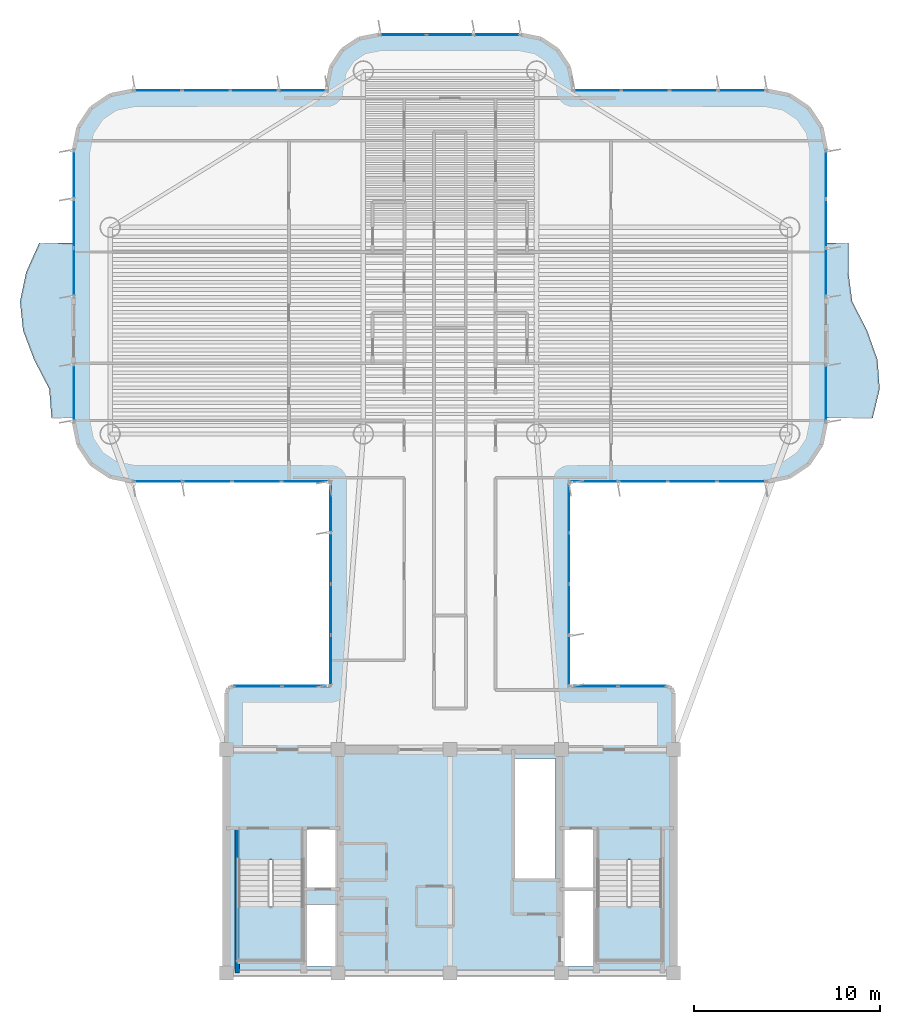
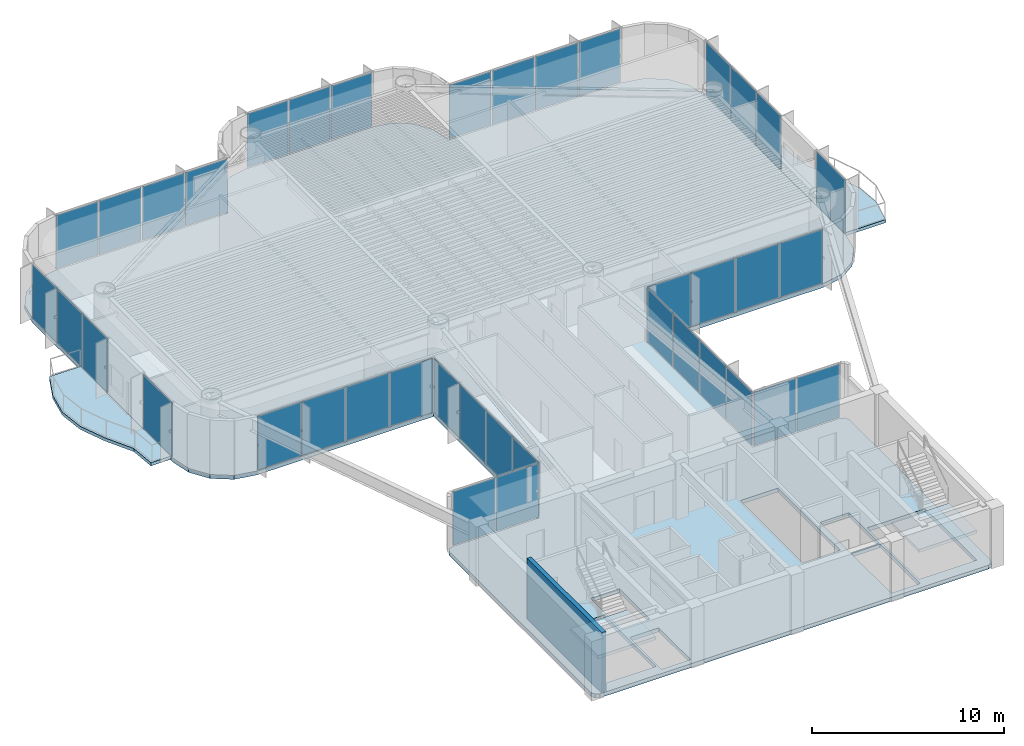
# One storey, part 8 of 15: 39 plates, 5 slabs, 1 wall, 15 elements without a shape of their own.
"""IFC4 building model written with IfcOpenShell, lengths in metres."""

import ifcopenshell
import ifcopenshell.guid

model = None  # the IFC model being written
_history = None  # IfcOwnerHistory: only IFC2X3 demands one
_inside = {}  # id of a spatial element -> (the spatial element, [elements in it])
_under = {}  # id of a project, library or spatial element -> (it, [spatial elements below it])
_declared = {}  # id of a project -> (the project, [libraries it declares])
_typed = {}  # id of a type object -> (the type object, [elements of that type])
_made_of = {}  # id of a material, layer set ... -> (it, [elements and type objects made of it])


def new_model(schema):
    """Start an empty IFC model of exactly this schema.

    Asked for "IFC4X3", IfcOpenShell would pick the latest addendum, in which some entities
    have other attributes; the version numbers below select the first issue.
    IFC2X3 requires an IfcOwnerHistory on every rooted entity: one is made here for all.
    """
    global model, _history
    if schema == "IFC4X3":
        model = ifcopenshell.file(schema_version=(4, 3, 0, 0))
    else:
        model = ifcopenshell.file(schema=schema)
    _inside.clear()
    _under.clear()
    _declared.clear()
    _typed.clear()
    _made_of.clear()
    _history = None
    if model.schema == "IFC2X3":
        org = make("IfcOrganization", Name="unknown")
        user = make(
            "IfcPersonAndOrganization",
            ThePerson=make("IfcPerson", FamilyName="unknown"),
            TheOrganization=org,
        )
        app = make(
            "IfcApplication",
            ApplicationDeveloper=org,
            Version="unknown",
            ApplicationFullName="unknown",
            ApplicationIdentifier="unknown",
        )
        _history = make(
            "IfcOwnerHistory",
            OwningUser=user,
            OwningApplication=app,
            ChangeAction="ADDED",
            CreationDate=0,
        )
    return model


def make(cls, **values):
    """One entity of the class cls with the attributes given. An attribute that is None is left unset."""
    return model.create_entity(
        cls, **{name: value for name, value in values.items() if value is not None}
    )


def rooted(cls, **values):
    """An entity with a GlobalId (a new one), such as an element, a storey or a relation."""
    return make(cls, GlobalId=ifcopenshell.guid.new(), OwnerHistory=_history, **values)


def si_unit(unit_type, name, prefix=None):
    """IfcSIUnit, for example si_unit("LENGTHUNIT", "METRE", prefix="MILLI")."""
    return make("IfcSIUnit", UnitType=unit_type, Prefix=prefix, Name=name)


def assignment(units):
    """IfcUnitAssignment: the units of a project."""
    return None if units is None else make("IfcUnitAssignment", Units=units)


def point(xyz):
    """IfcCartesianPoint."""
    return None if xyz is None else make("IfcCartesianPoint", Coordinates=xyz)


def direction(xyz):
    """IfcDirection."""
    return None if xyz is None else make("IfcDirection", DirectionRatios=xyz)


def frame(location, z_axis=None, x_axis=None):
    """IfcAxis2Placement3D, a coordinate frame: its origin and axes. An axis left out is left unset."""
    return make(
        "IfcAxis2Placement3D",
        Location=point(location),
        Axis=direction(z_axis),
        RefDirection=direction(x_axis),
    )


def frame_2d(location, x_axis=None):
    """IfcAxis2Placement2D, a coordinate frame in the plane: its origin and x axis."""
    return make(
        "IfcAxis2Placement2D", Location=point(location), RefDirection=direction(x_axis)
    )


def origin():
    """The frame at (0, 0, 0) with its axes left unset."""
    return frame((0.0, 0.0, 0.0))


def origin_2d():
    """The frame at (0, 0) in the plane with its x axis left unset."""
    return frame_2d((0.0, 0.0))


def place(relative_to, where):
    """IfcLocalPlacement: puts the frame where relative to a parent placement (None: the world)."""
    return make(
        "IfcLocalPlacement", PlacementRelTo=relative_to, RelativePlacement=where
    )


def context(
    kind, dimensions, precision=None, world=None, true_north=None, identifier=None
):
    """IfcGeometricRepresentationContext, for example the 3D "Model" context."""
    return make(
        "IfcGeometricRepresentationContext",
        ContextIdentifier=identifier,
        ContextType=kind,
        CoordinateSpaceDimension=dimensions,
        Precision=precision,
        WorldCoordinateSystem=world,
        TrueNorth=true_north,
    )


def subcontext(parent, identifier, kind, view, scale=None):
    """IfcGeometricRepresentationSubContext, for example "Body" below "Model"."""
    return make(
        "IfcGeometricRepresentationSubContext",
        ContextIdentifier=identifier,
        ContextType=kind,
        ParentContext=parent,
        TargetScale=scale,
        TargetView=view,
    )


def project(units=None, contexts=None):
    """IfcProject with its units and contexts."""
    return rooted(
        "IfcProject",
        Name="project",
        RepresentationContexts=contexts,
        UnitsInContext=assignment(units),
    )


def spatial(cls, under=None, at=None, **own):
    """A site, building, storey or space (cls), placed at a placement, below another one or the project."""
    s = rooted(cls, ObjectPlacement=at, **own)
    if under is not None:
        _under.setdefault(under.id(), (under, []))[1].append(s)
    return s


def polyline(points):
    """IfcPolyline through the points."""
    return make("IfcPolyline", Points=[point(p) for p in points])


def profile(cls, at=None, kind="AREA", **sizes):
    """A parametric profile (cls). Its sizes go by their IFC names, for example OverallWidth=200.0."""
    return make(cls, ProfileType=kind, Position=at, **sizes)


def rectangle(**sizes):
    """IfcRectangleProfileDef."""
    return profile("IfcRectangleProfileDef", **sizes)


def outline(outer, holes=None, kind="AREA"):
    """IfcArbitraryClosedProfileDef: a profile drawn as a closed curve; with holes, ...WithVoids."""
    if holes is None:
        return make("IfcArbitraryClosedProfileDef", ProfileType=kind, OuterCurve=outer)
    return make(
        "IfcArbitraryProfileDefWithVoids",
        ProfileType=kind,
        OuterCurve=outer,
        InnerCurves=holes,
    )


def extrude(swept, where, along, depth):
    """IfcExtrudedAreaSolid: the profile swept, set in the frame where, extruded along a direction by depth."""
    return make(
        "IfcExtrudedAreaSolid",
        SweptArea=swept,
        Position=where,
        ExtrudedDirection=direction(along),
        Depth=depth,
    )


def shape(context_of_items, identifier, shape_type, items):
    """IfcShapeRepresentation: the items that make up one representation, for example the "Body"."""
    return make(
        "IfcShapeRepresentation",
        ContextOfItems=context_of_items,
        RepresentationIdentifier=identifier,
        RepresentationType=shape_type,
        Items=items,
    )


def source(mapping_origin, context_of_items, identifier, shape_type, items):
    """IfcRepresentationMap: a shape defined once, which mapped items show again and again."""
    return make(
        "IfcRepresentationMap",
        MappingOrigin=mapping_origin,
        MappedRepresentation=shape(context_of_items, identifier, shape_type, items),
    )


def transform(
    local_origin,
    x_axis=None,
    y_axis=None,
    z_axis=None,
    scale=None,
    scale2=None,
    scale3=None,
    uniform=True,
):
    """IfcCartesianTransformationOperator3D, or its non-uniform kind. x_axis, y_axis, z_axis: its Axis1, 2, 3."""
    if uniform:
        return make(
            "IfcCartesianTransformationOperator3D",
            Axis1=direction(x_axis),
            Axis2=direction(y_axis),
            LocalOrigin=point(local_origin),
            Scale=scale,
            Axis3=direction(z_axis),
        )
    return make(
        "IfcCartesianTransformationOperator3DnonUniform",
        Axis1=direction(x_axis),
        Axis2=direction(y_axis),
        LocalOrigin=point(local_origin),
        Scale=scale,
        Axis3=direction(z_axis),
        Scale2=scale2,
        Scale3=scale3,
    )


def mapped(mapping_source, mapping_target):
    """IfcMappedItem: shows the shape of a source again, moved by a transform."""
    return make(
        "IfcMappedItem", MappingSource=mapping_source, MappingTarget=mapping_target
    )


def material(Name=None, Category=None):
    """IfcMaterial."""
    return make("IfcMaterial", Name=Name, Category=Category)


def layer(
    of_material, thickness, ventilated=None, Name=None, Category=None, Priority=None
):
    """IfcMaterialLayer: one layer of a wall or slab, of a material (None: an air gap)."""
    return make(
        "IfcMaterialLayer",
        Material=of_material,
        LayerThickness=thickness,
        IsVentilated=ventilated,
        Name=Name,
        Category=Category,
        Priority=Priority,
    )


def layer_set(layers, Name=None):
    """IfcMaterialLayerSet."""
    return make("IfcMaterialLayerSet", MaterialLayers=layers, LayerSetName=Name)


def made_of(thing, what):
    """Note that an element or type object is made of a material, layer set ...; save() writes the relation."""
    if what is not None:
        _made_of.setdefault(what.id(), (what, []))[1].append(thing)
    return thing


def type_object(cls, material=None, **own):
    """A type object (cls), such as IfcWallType, which elements share."""
    return made_of(rooted(cls, **own), material)


def element(
    cls,
    number,
    at=None,
    inside=None,
    cuts=None,
    type_object=None,
    material=None,
    context=None,
    identifier="Body",
    shape_type=None,
    held_by="IfcProductDefinitionShape",
    body=None,
    shapes=None,
    **own,
):
    """One element of the class cls, such as IfcWall. Its Tag is "e" and its number.

    at: its placement. inside: the storey or other place that contains it. cuts: it is an
    opening in that element (IfcRelVoidsElement). A single representation is given by context,
    identifier, shape_type and body (its items); several are given by shapes. held_by: the class
    of the entity that holds the representations. save() writes the other relations.
    """
    e = rooted(cls, Tag="e%d" % number, ObjectPlacement=at, **own)
    if body is not None:
        shapes = [shape(context, identifier, shape_type, body)]
    if shapes is not None:
        e.Representation = make(held_by, Representations=shapes)
    if inside is not None:
        _inside.setdefault(inside.id(), (inside, []))[1].append(e)
    if cuts is not None:
        rooted(
            "IfcRelVoidsElement", RelatingBuildingElement=cuts, RelatedOpeningElement=e
        )
    if type_object is not None:
        _typed.setdefault(type_object.id(), (type_object, []))[1].append(e)
    return made_of(e, material)


def aggregate(whole, parts):
    """IfcRelAggregates: a whole, such as a stair, and the parts it consists of."""
    return rooted("IfcRelAggregates", RelatingObject=whole, RelatedObjects=parts)


def save(model, path):
    """Write the relations noted so far, then the file.

    IfcRelAggregates (storeys below a building ...), IfcRelContainedInSpatialStructure (elements
    in a storey), IfcRelDefinesByType, IfcRelAssociatesMaterial and IfcRelDeclares: one each for
    every whole, place, type object, material and project.
    """
    for whole, parts in _under.values():
        aggregate(whole, parts)
    for where, things in _inside.values():
        rooted(
            "IfcRelContainedInSpatialStructure",
            RelatedElements=things,
            RelatingStructure=where,
        )
    for kind, things in _typed.values():
        rooted("IfcRelDefinesByType", RelatedObjects=things, RelatingType=kind)
    for what, things in _made_of.values():
        rooted("IfcRelAssociatesMaterial", RelatedObjects=things, RelatingMaterial=what)
    for by, libraries in _declared.values():
        rooted("IfcRelDeclares", RelatingContext=by, RelatedDefinitions=libraries)
    model.write(path)


model = new_model("IFC4")

# Units and contexts
model_context = context("Model", 3, precision=1e-05, world=origin(), true_north=direction((0.0, 1.0)))
body_context = subcontext(model_context, "Body", "Model", "MODEL_VIEW")
ifc_project = project(units=[si_unit("LENGTHUNIT", "METRE"), si_unit("AREAUNIT", "SQUARE_METRE"), si_unit("VOLUMEUNIT", "CUBIC_METRE"), si_unit("PLANEANGLEUNIT", "RADIAN"), si_unit("MASSUNIT", "GRAM", prefix="KILO")], contexts=[model_context])

# Site, building, storey
site_placement = place(None, origin())
site = spatial("IfcSite", under=ifc_project, at=site_placement, CompositionType="ELEMENT")
building_placement = place(site_placement, origin())
building = spatial("IfcBuilding", under=site, at=building_placement, Name="Brelvock Crest Care Tower", CompositionType="ELEMENT")
storey_placement = place(building_placement, frame((0.0, 0.0, 171.5400390625)))
storey = spatial("IfcBuildingStorey", under=building, at=storey_placement, Name="L43", CompositionType="ELEMENT", Elevation=171.5400390625)

# Slabs
ifc_material_1 = material(Name="Concrete N50 (50 MPa)", Category="concrete")
ifc_layer_1 = layer(ifc_material_1, 0.22998046875, Name="SLB-FL4")
ifc_layer_set_1 = layer_set([ifc_layer_1], Name="Concrete N50 (50 MPa)")
slab_type_1 = type_object("IfcSlabType", Name="SLB-FL4", PredefinedType="FLOOR", material=ifc_layer_set_1)
slab_1_placement = place(storey_placement, frame((0.0, 0.0, -0.25)))
element("IfcSlab", 1, at=slab_1_placement, inside=storey, type_object=slab_type_1, Name="L43 Main Structural Slab", PredefinedType="FLOOR", context=body_context, shape_type="SweptSolid", body=[
    extrude(outline(polyline([(47.64990234375, 21.39990234375), (42.39990234375, 21.39990234375), (42.39990234375, 32.39990234375), (53.0, 32.39990234375), (54.224609375, 32.6435546875), (55.2626953125, 33.33740234375), (55.956298828125, 34.37548828125), (56.199951171875, 35.60009765625), (56.199951171875, 50.199951171875), (55.956298828125, 51.424560546875), (55.2626953125, 52.462646484375), (54.224609375, 53.156494140625), (53.0, 53.39990234375), (42.60009765625, 53.39990234375), (42.60009765625, 53.60009765625), (42.386962890625, 54.67138671875), (41.77978515625, 55.579833984375), (40.87158203125, 56.18701171875), (39.800048828125, 56.39990234375), (32.199951171875, 56.39990234375), (31.12841796875, 56.18701171875), (30.22021484375, 55.579833984375), (29.613037109375, 54.67138671875), (29.39990234375, 53.60009765625), (29.39990234375, 53.39990234375), (19.0, 53.39990234375), (17.775390625, 53.156494140625), (16.7373046875, 52.462646484375), (16.043701171875, 51.424560546875), (15.800048828125, 50.199951171875), (15.800048828125, 35.60009765625), (16.043701171875, 34.37548828125), (16.7373046875, 33.33740234375), (17.775390625, 32.6435546875), (19.0, 32.39990234375), (29.60009765625, 32.39990234375), (29.60009765625, 21.39990234375), (24.35009765625, 21.39990234375), (24.1025390625, 21.297607421875), (24.0, 21.050048828125), (24.0, 6.35009765625), (24.1025390625, 6.1025390625), (24.35009765625, 6.0), (47.64990234375, 6.0), (47.8974609375, 6.1025390625), (48.0, 6.35009765625), (48.0, 21.050048828125), (47.8974609375, 21.297607421875), (47.64990234375, 21.39990234375)]), holes=[polyline([(28.239990234375, 10.580078125), (29.97998046875, 10.580078125), (29.97998046875, 13.739990234375), (28.239990234375, 13.739990234375), (28.239990234375, 10.580078125)]), polyline([(42.02001953125, 10.580078125), (43.760009765625, 10.580078125), (43.760009765625, 13.739990234375), (42.02001953125, 13.739990234375), (42.02001953125, 10.580078125)]), polyline([(28.239990234375, 6.340087890625), (29.97998046875, 6.340087890625), (29.97998046875, 9.64990234375), (28.239990234375, 9.64990234375), (28.239990234375, 6.340087890625)]), polyline([(24.6298828125, 12.080078125), (24.6298828125, 6.699951171875), (28.110107421875, 6.699951171875), (28.110107421875, 12.080078125), (24.6298828125, 12.080078125)]), polyline([(43.889892578125, 12.080078125), (43.889892578125, 6.699951171875), (47.3701171875, 6.699951171875), (47.3701171875, 12.080078125), (43.889892578125, 12.080078125)]), polyline([(42.02001953125, 6.340087890625), (43.760009765625, 6.340087890625), (43.760009765625, 10.5), (42.02001953125, 10.5), (42.02001953125, 6.340087890625)]), polyline([(39.429931640625, 11.030029296875), (41.669921875, 11.030029296875), (41.669921875, 17.52001953125), (39.429931640625, 17.52001953125), (39.429931640625, 11.030029296875)])]), origin(), (0.0, 0.0, 1.0), 0.25),
])
ifc_layer_2 = layer(ifc_material_1, 0.199951171875, Name="SLB-WB2")
ifc_layer_set_2 = layer_set([ifc_layer_2], Name="Concrete N50 (50 MPa)")
slab_type_2 = type_object("IfcSlabType", Name="SLB-WB2", PredefinedType="FLOOR", material=ifc_layer_set_2)
slab_2_placement = place(storey_placement, frame((0.0, 0.0, -0.199951171875)))
element("IfcSlab", 2, at=slab_2_placement, inside=storey, type_object=slab_type_2, Name="L43 W Sinusoidal Wave Balcony Slab", PredefinedType="FLOOR", context=body_context, shape_type="SweptSolid", body=[
    extrude(outline(polyline([(15.800048828125, 45.199951171875), (13.934814453125, 45.199951171875), (13.235107421875, 43.63330078125), (12.907470703125, 42.066650390625), (13.072021484375, 40.5), (13.668701171875, 38.933349609375), (14.478515625, 37.36669921875), (14.60009765625, 35.800048828125), (15.800048828125, 35.800048828125), (15.800048828125, 45.199951171875)])), origin(), (0.0, 0.0, 1.0), 0.199951171875),
])
slab_3_placement = place(storey_placement, frame((0.0, 0.0, -0.199951171875)))
element("IfcSlab", 3, at=slab_3_placement, inside=storey, type_object=slab_type_2, Name="L43 E Sinusoidal Wave Balcony Slab", PredefinedType="FLOOR", context=body_context, shape_type="SweptSolid", body=[
    extrude(outline(polyline([(56.199951171875, 35.800048828125), (58.70458984375, 35.800048828125), (59.08056640625, 37.36669921875), (58.968505859375, 38.933349609375), (58.40966796875, 40.5), (57.60888671875, 42.066650390625), (57.39990234375, 43.63330078125), (57.39990234375, 45.199951171875), (56.199951171875, 45.199951171875), (56.199951171875, 35.800048828125)])), origin(), (0.0, 0.0, 1.0), 0.199951171875),
])

# Stair, slab
ifc_material_2 = material(Name="Concrete N40 (40 MPa)", Category="concrete")
stair_type = type_object("IfcStairType", Name="ST-CORE1", PredefinedType="HALF_TURN_STAIR", material=ifc_material_2)
stair_1_placement = place(storey_placement, origin())
stair_1 = element("IfcStair", 4, at=stair_1_placement, inside=storey, type_object=stair_type, Name="L43 Fire-Isolated Core Stair ST-1", PredefinedType="HALF_TURN_STAIR")
ifc_layer_3 = layer(ifc_material_2, 0.199951171875, Name="STL-1")
ifc_layer_set_3 = layer_set([ifc_layer_3], Name="Concrete N40 (40 MPa)")
slab_type_3 = type_object("IfcSlabType", Name="STL-1", PredefinedType="LANDING", material=ifc_layer_set_3)
slab_4_placement = place(storey_placement, frame((0.0, 0.0, 1.68994140625)))
slab_4 = element("IfcSlab", 5, at=slab_4_placement, type_object=slab_type_3, Name="ST-1 landing 1", PredefinedType="LANDING", context=body_context, shape_type="SweptSolid", body=[
    extrude(outline(polyline([(24.6298828125, 9.56005859375), (24.6298828125, 6.699951171875), (28.110107421875, 6.699951171875), (28.110107421875, 9.56005859375), (24.6298828125, 9.56005859375)])), origin(), (0.0, 0.0, 1.0), 0.199951171875),
])
aggregate(stair_1, [slab_4])

stair_2_placement = place(storey_placement, origin())
stair_2 = element("IfcStair", 6, at=stair_2_placement, inside=storey, type_object=stair_type, Name="L43 Fire-Isolated Core Stair ST-2", PredefinedType="HALF_TURN_STAIR")
slab_5_placement = place(storey_placement, frame((0.0, 0.0, 1.68994140625)))
slab_5 = element("IfcSlab", 7, at=slab_5_placement, type_object=slab_type_3, Name="ST-2 landing 1", PredefinedType="LANDING", context=body_context, shape_type="SweptSolid", body=[
    extrude(outline(polyline([(43.889892578125, 9.56005859375), (43.889892578125, 6.699951171875), (47.3701171875, 6.699951171875), (47.3701171875, 9.56005859375), (43.889892578125, 9.56005859375)])), origin(), (0.0, 0.0, 1.0), 0.199951171875),
])
aggregate(stair_2, [slab_5])

# Curtain wall, plates
ifc_material_3 = material(Name="Dark Glass Double Glazed Low-E", Category="glass")
ifc_layer_4 = layer(ifc_material_3, 0.22509765625, Name="CWS-4")
ifc_layer_set_4 = layer_set([ifc_layer_4], Name="Dark Glass Double Glazed Low-E")
curtain_wall_type = type_object("IfcCurtainWallType", Name="CWS-4", PredefinedType="NOTDEFINED", material=ifc_layer_set_4)
curtain_wall_1_placement = place(storey_placement, origin())
curtain_wall_1 = element("IfcCurtainWall", 8, at=curtain_wall_1_placement, inside=storey, type_object=curtain_wall_type, Name="L43 Curtain Wall E10", PredefinedType="NOTDEFINED")
ifc_layer_5 = layer(ifc_material_3, 0.0380859375, Name="CWP-V2")
ifc_layer_set_5 = layer_set([ifc_layer_5], Name="Dark Glass Double Glazed Low-E")
plate_type = type_object("IfcPlateType", Name="CWP-V2", PredefinedType="CURTAIN_PANEL", material=ifc_layer_set_5)
shared_shape_1 = source(origin(), body_context, "Body", "SweptSolid", [
    extrude(rectangle(XDim=2.534912109375, YDim=0.035888671875, at=origin_2d()), origin(), (0.0, 0.0, 1.0), 3.409912109375),
])
plate_1_placement = place(storey_placement, frame((25.677490234375, 21.39990234375, 0.06005859375), z_axis=(0.0, 0.0, 1.0), x_axis=(1.0, 0.0, 0.0)))
plate_1 = element("IfcPlate", 9, at=plate_1_placement, type_object=plate_type, Name="CW-4 panel 1.1", PredefinedType="CURTAIN_PANEL", context=body_context, shape_type="MappedRepresentation", body=[
    mapped(shared_shape_1, transform((0.0, 0.0, 0.0), x_axis=(1.0, 0.0, 0.0), y_axis=(0.0, 1.0, 0.0), z_axis=(0.0, 0.0, 1.0), scale=1.0)),
])
plate_2_placement = place(storey_placement, frame((28.2724609375, 21.39990234375, 0.06005859375), z_axis=(0.0, 0.0, 1.0), x_axis=(1.0, 0.0, 0.0)))
plate_2 = element("IfcPlate", 10, at=plate_2_placement, type_object=plate_type, Name="CW-4 panel 2.1", PredefinedType="CURTAIN_PANEL", context=body_context, shape_type="MappedRepresentation", body=[
    mapped(shared_shape_1, transform((0.0, 0.0, 0.0), x_axis=(1.0, 0.0, 0.0), y_axis=(0.0, 1.0, 0.0), z_axis=(0.0, 0.0, 1.0), scale=1.0)),
])
aggregate(curtain_wall_1, [plate_1, plate_2])

curtain_wall_2_placement = place(storey_placement, origin())
curtain_wall_2 = element("IfcCurtainWall", 11, at=curtain_wall_2_placement, inside=storey, type_object=curtain_wall_type, Name="L43 Curtain Wall E46", PredefinedType="NOTDEFINED")
plate_3_placement = place(storey_placement, frame((43.7275390625, 21.39990234375, 0.06005859375), z_axis=(0.0, 0.0, 1.0), x_axis=(1.0, 0.0, 0.0)))
plate_3 = element("IfcPlate", 12, at=plate_3_placement, type_object=plate_type, Name="CW-4 panel 1.1", PredefinedType="CURTAIN_PANEL", context=body_context, shape_type="MappedRepresentation", body=[
    mapped(shared_shape_1, transform((0.0, 0.0, 0.0), x_axis=(1.0, 0.0, 0.0), y_axis=(0.0, 1.0, 0.0), z_axis=(0.0, 0.0, 1.0), scale=1.0)),
])
plate_4_placement = place(storey_placement, frame((46.322509765625, 21.39990234375, 0.06005859375), z_axis=(0.0, 0.0, 1.0), x_axis=(1.0, 0.0, 0.0)))
plate_4 = element("IfcPlate", 13, at=plate_4_placement, type_object=plate_type, Name="CW-4 panel 2.1", PredefinedType="CURTAIN_PANEL", context=body_context, shape_type="MappedRepresentation", body=[
    mapped(shared_shape_1, transform((0.0, 0.0, 0.0), x_axis=(1.0, 0.0, 0.0), y_axis=(0.0, 1.0, 0.0), z_axis=(0.0, 0.0, 1.0), scale=1.0)),
])
aggregate(curtain_wall_2, [plate_3, plate_4])

curtain_wall_3_placement = place(storey_placement, origin())
curtain_wall_3 = element("IfcCurtainWall", 14, at=curtain_wall_3_placement, inside=storey, type_object=curtain_wall_type, Name="L43 Curtain Wall E11", PredefinedType="NOTDEFINED")
shared_shape_2 = source(origin(), body_context, "Body", "SweptSolid", [
    extrude(rectangle(XDim=2.659912109375, YDim=0.035888671875, at=origin_2d()), origin(), (0.0, 0.0, 1.0), 3.409912109375),
])
plate_5_placement = place(storey_placement, frame((29.60009765625, 22.7900390625, 0.06005859375), z_axis=(0.0, 0.0, 1.0), x_axis=(0.0, 1.0, 0.0)))
plate_5 = element("IfcPlate", 15, at=plate_5_placement, type_object=plate_type, Name="CW-4 panel 1.1", PredefinedType="CURTAIN_PANEL", context=body_context, shape_type="MappedRepresentation", body=[
    mapped(shared_shape_2, transform((0.0, 0.0, 0.0), x_axis=(1.0, 0.0, 0.0), y_axis=(0.0, 1.0, 0.0), z_axis=(0.0, 0.0, 1.0), scale=1.0)),
])
plate_6_placement = place(storey_placement, frame((29.60009765625, 31.010009765625, 0.06005859375), z_axis=(0.0, 0.0, 1.0), x_axis=(0.0, 1.0, 0.0)))
plate_6 = element("IfcPlate", 16, at=plate_6_placement, type_object=plate_type, Name="CW-4 panel 4.1", PredefinedType="CURTAIN_PANEL", context=body_context, shape_type="MappedRepresentation", body=[
    mapped(shared_shape_2, transform((0.0, 0.0, 0.0), x_axis=(1.0, 0.0, 0.0), y_axis=(0.0, 1.0, 0.0), z_axis=(0.0, 0.0, 1.0), scale=1.0)),
])

curtain_wall_4_placement = place(storey_placement, origin())
curtain_wall_4 = element("IfcCurtainWall", 17, at=curtain_wall_4_placement, inside=storey, type_object=curtain_wall_type, Name="L43 Curtain Wall E45", PredefinedType="NOTDEFINED")
plate_7_placement = place(storey_placement, frame((42.39990234375, 31.010009765625, 0.06005859375), z_axis=(0.0, 0.0, 1.0), x_axis=(0.0, -1.0, 0.0)))
plate_7 = element("IfcPlate", 18, at=plate_7_placement, type_object=plate_type, Name="CW-4 panel 1.1", PredefinedType="CURTAIN_PANEL", context=body_context, shape_type="MappedRepresentation", body=[
    mapped(shared_shape_2, transform((0.0, 0.0, 0.0), x_axis=(1.0, 0.0, 0.0), y_axis=(0.0, 1.0, 0.0), z_axis=(0.0, 0.0, 1.0), scale=1.0)),
])
plate_8_placement = place(storey_placement, frame((42.39990234375, 22.7900390625, 0.06005859375), z_axis=(0.0, 0.0, 1.0), x_axis=(0.0, -1.0, 0.0)))
plate_8 = element("IfcPlate", 19, at=plate_8_placement, type_object=plate_type, Name="CW-4 panel 4.1", PredefinedType="CURTAIN_PANEL", context=body_context, shape_type="MappedRepresentation", body=[
    mapped(shared_shape_2, transform((0.0, 0.0, 0.0), x_axis=(1.0, 0.0, 0.0), y_axis=(0.0, 1.0, 0.0), z_axis=(0.0, 0.0, 1.0), scale=1.0)),
])

# Plate
shared_shape_3 = source(origin(), body_context, "Body", "SweptSolid", [
    extrude(rectangle(XDim=2.68994140625, YDim=0.035888671875, at=origin_2d()), origin(), (0.0, 0.0, 1.0), 3.409912109375),
])
plate_9_placement = place(storey_placement, frame((29.60009765625, 25.52490234375, 0.06005859375), z_axis=(0.0, 0.0, 1.0), x_axis=(0.0, 1.0, 0.0)))
plate_9 = element("IfcPlate", 20, at=plate_9_placement, type_object=plate_type, Name="CW-4 panel 2.1", PredefinedType="CURTAIN_PANEL", context=body_context, shape_type="MappedRepresentation", body=[
    mapped(shared_shape_3, transform((0.0, 0.0, 0.0), x_axis=(1.0, 0.0, 0.0), y_axis=(0.0, 1.0, 0.0), z_axis=(0.0, 0.0, 1.0), scale=1.0)),
])

plate_10_placement = place(storey_placement, frame((29.60009765625, 28.27490234375, 0.06005859375), z_axis=(0.0, 0.0, 1.0), x_axis=(0.0, 1.0, 0.0)))
plate_10 = element("IfcPlate", 21, at=plate_10_placement, type_object=plate_type, Name="CW-4 panel 3.1", PredefinedType="CURTAIN_PANEL", context=body_context, shape_type="MappedRepresentation", body=[
    mapped(shared_shape_3, transform((0.0, 0.0, 0.0), x_axis=(1.0, 0.0, 0.0), y_axis=(0.0, 1.0, 0.0), z_axis=(0.0, 0.0, 1.0), scale=1.0)),
])

aggregate(curtain_wall_3, [plate_5, plate_9, plate_10, plate_6])

plate_11_placement = place(storey_placement, frame((42.39990234375, 28.27490234375, 0.06005859375), z_axis=(0.0, 0.0, 1.0), x_axis=(0.0, -1.0, 0.0)))
plate_11 = element("IfcPlate", 22, at=plate_11_placement, type_object=plate_type, Name="CW-4 panel 2.1", PredefinedType="CURTAIN_PANEL", context=body_context, shape_type="MappedRepresentation", body=[
    mapped(shared_shape_3, transform((0.0, 0.0, 0.0), x_axis=(1.0, 0.0, 0.0), y_axis=(0.0, 1.0, 0.0), z_axis=(0.0, 0.0, 1.0), scale=1.0)),
])

plate_12_placement = place(storey_placement, frame((42.39990234375, 25.52490234375, 0.06005859375), z_axis=(0.0, 0.0, 1.0), x_axis=(0.0, -1.0, 0.0)))
plate_12 = element("IfcPlate", 23, at=plate_12_placement, type_object=plate_type, Name="CW-4 panel 3.1", PredefinedType="CURTAIN_PANEL", context=body_context, shape_type="MappedRepresentation", body=[
    mapped(shared_shape_3, transform((0.0, 0.0, 0.0), x_axis=(1.0, 0.0, 0.0), y_axis=(0.0, 1.0, 0.0), z_axis=(0.0, 0.0, 1.0), scale=1.0)),
])

aggregate(curtain_wall_4, [plate_7, plate_11, plate_12, plate_8])

# Curtain wall, plates
curtain_wall_5_placement = place(storey_placement, origin())
curtain_wall_5 = element("IfcCurtainWall", 24, at=curtain_wall_5_placement, inside=storey, type_object=curtain_wall_type, Name="L43 Curtain Wall E12", PredefinedType="NOTDEFINED")
shared_shape_4 = source(origin(), body_context, "Body", "SweptSolid", [
    extrude(rectangle(XDim=2.56005859375, YDim=0.035888671875, at=origin_2d()), origin(), (0.0, 0.0, 1.0), 3.409912109375),
])
plate_13_placement = place(storey_placement, frame((28.260009765625, 32.39990234375, 0.06005859375), z_axis=(0.0, 0.0, 1.0), x_axis=(-1.0, 0.0, 0.0)))
plate_13 = element("IfcPlate", 25, at=plate_13_placement, type_object=plate_type, Name="CW-4 panel 1.1", PredefinedType="CURTAIN_PANEL", context=body_context, shape_type="MappedRepresentation", body=[
    mapped(shared_shape_4, transform((0.0, 0.0, 0.0), x_axis=(1.0, 0.0, 0.0), y_axis=(0.0, 1.0, 0.0), z_axis=(0.0, 0.0, 1.0), scale=1.0)),
])
plate_14_placement = place(storey_placement, frame((20.340087890625, 32.39990234375, 0.06005859375), z_axis=(0.0, 0.0, 1.0), x_axis=(-1.0, 0.0, 0.0)))
plate_14 = element("IfcPlate", 26, at=plate_14_placement, type_object=plate_type, Name="CW-4 panel 4.1", PredefinedType="CURTAIN_PANEL", context=body_context, shape_type="MappedRepresentation", body=[
    mapped(shared_shape_4, transform((0.0, 0.0, 0.0), x_axis=(1.0, 0.0, 0.0), y_axis=(0.0, 1.0, 0.0), z_axis=(0.0, 0.0, 1.0), scale=1.0)),
])

curtain_wall_6_placement = place(storey_placement, origin())
curtain_wall_6 = element("IfcCurtainWall", 27, at=curtain_wall_6_placement, inside=storey, type_object=curtain_wall_type, Name="L43 Curtain Wall E44", PredefinedType="NOTDEFINED")
plate_15_placement = place(storey_placement, frame((51.659912109375, 32.39990234375, 0.06005859375), z_axis=(0.0, 0.0, 1.0), x_axis=(-1.0, 0.0, 0.0)))
plate_15 = element("IfcPlate", 28, at=plate_15_placement, type_object=plate_type, Name="CW-4 panel 1.1", PredefinedType="CURTAIN_PANEL", context=body_context, shape_type="MappedRepresentation", body=[
    mapped(shared_shape_4, transform((0.0, 0.0, 0.0), x_axis=(1.0, 0.0, 0.0), y_axis=(0.0, 1.0, 0.0), z_axis=(0.0, 0.0, 1.0), scale=1.0)),
])
plate_16_placement = place(storey_placement, frame((43.739990234375, 32.39990234375, 0.06005859375), z_axis=(0.0, 0.0, 1.0), x_axis=(-1.0, 0.0, 0.0)))
plate_16 = element("IfcPlate", 29, at=plate_16_placement, type_object=plate_type, Name="CW-4 panel 4.1", PredefinedType="CURTAIN_PANEL", context=body_context, shape_type="MappedRepresentation", body=[
    mapped(shared_shape_4, transform((0.0, 0.0, 0.0), x_axis=(1.0, 0.0, 0.0), y_axis=(0.0, 1.0, 0.0), z_axis=(0.0, 0.0, 1.0), scale=1.0)),
])

# Plate
shared_shape_5 = source(origin(), body_context, "Body", "SweptSolid", [
    extrude(rectangle(XDim=2.590087890625, YDim=0.035888671875, at=origin_2d()), origin(), (0.0, 0.0, 1.0), 3.409912109375),
])
plate_17_placement = place(storey_placement, frame((25.625, 32.39990234375, 0.06005859375), z_axis=(0.0, 0.0, 1.0), x_axis=(-1.0, 0.0, 0.0)))
plate_17 = element("IfcPlate", 30, at=plate_17_placement, type_object=plate_type, Name="CW-4 panel 2.1", PredefinedType="CURTAIN_PANEL", context=body_context, shape_type="MappedRepresentation", body=[
    mapped(shared_shape_5, transform((0.0, 0.0, 0.0), x_axis=(1.0, 0.0, 0.0), y_axis=(0.0, 1.0, 0.0), z_axis=(0.0, 0.0, 1.0), scale=1.0)),
])

plate_18_placement = place(storey_placement, frame((22.97509765625, 32.39990234375, 0.06005859375), z_axis=(0.0, 0.0, 1.0), x_axis=(-1.0, 0.0, 0.0)))
plate_18 = element("IfcPlate", 31, at=plate_18_placement, type_object=plate_type, Name="CW-4 panel 3.1", PredefinedType="CURTAIN_PANEL", context=body_context, shape_type="MappedRepresentation", body=[
    mapped(shared_shape_5, transform((0.0, 0.0, 0.0), x_axis=(1.0, 0.0, 0.0), y_axis=(0.0, 1.0, 0.0), z_axis=(0.0, 0.0, 1.0), scale=1.0)),
])

aggregate(curtain_wall_5, [plate_13, plate_17, plate_18, plate_14])

plate_19_placement = place(storey_placement, frame((49.02490234375, 32.39990234375, 0.06005859375), z_axis=(0.0, 0.0, 1.0), x_axis=(-1.0, 0.0, 0.0)))
plate_19 = element("IfcPlate", 32, at=plate_19_placement, type_object=plate_type, Name="CW-4 panel 2.1", PredefinedType="CURTAIN_PANEL", context=body_context, shape_type="MappedRepresentation", body=[
    mapped(shared_shape_5, transform((0.0, 0.0, 0.0), x_axis=(1.0, 0.0, 0.0), y_axis=(0.0, 1.0, 0.0), z_axis=(0.0, 0.0, 1.0), scale=1.0)),
])

plate_20_placement = place(storey_placement, frame((46.375, 32.39990234375, 0.06005859375), z_axis=(0.0, 0.0, 1.0), x_axis=(-1.0, 0.0, 0.0)))
plate_20 = element("IfcPlate", 33, at=plate_20_placement, type_object=plate_type, Name="CW-4 panel 3.1", PredefinedType="CURTAIN_PANEL", context=body_context, shape_type="MappedRepresentation", body=[
    mapped(shared_shape_5, transform((0.0, 0.0, 0.0), x_axis=(1.0, 0.0, 0.0), y_axis=(0.0, 1.0, 0.0), z_axis=(0.0, 0.0, 1.0), scale=1.0)),
])

aggregate(curtain_wall_6, [plate_15, plate_19, plate_20, plate_16])

# Curtain wall, plates
curtain_wall_7_placement = place(storey_placement, origin())
curtain_wall_7 = element("IfcCurtainWall", 34, at=curtain_wall_7_placement, inside=storey, type_object=curtain_wall_type, Name="L43 Curtain Wall E22", PredefinedType="NOTDEFINED")
shared_shape_6 = source(origin(), body_context, "Body", "SweptSolid", [
    extrude(rectangle(XDim=2.510009765625, YDim=0.035888671875, at=origin_2d()), origin(), (0.0, 0.0, 1.0), 3.409912109375),
])
plate_21_placement = place(storey_placement, frame((20.31494140625, 53.39990234375, 0.06005859375), z_axis=(0.0, 0.0, 1.0), x_axis=(1.0, 0.0, 0.0)))
plate_21 = element("IfcPlate", 35, at=plate_21_placement, type_object=plate_type, Name="CW-4 panel 1.1", PredefinedType="CURTAIN_PANEL", context=body_context, shape_type="MappedRepresentation", body=[
    mapped(shared_shape_6, transform((0.0, 0.0, 0.0), x_axis=(1.0, 0.0, 0.0), y_axis=(0.0, 1.0, 0.0), z_axis=(0.0, 0.0, 1.0), scale=1.0)),
])
plate_22_placement = place(storey_placement, frame((28.0849609375, 53.39990234375, 0.06005859375), z_axis=(0.0, 0.0, 1.0), x_axis=(1.0, 0.0, 0.0)))
plate_22 = element("IfcPlate", 36, at=plate_22_placement, type_object=plate_type, Name="CW-4 panel 4.1", PredefinedType="CURTAIN_PANEL", context=body_context, shape_type="MappedRepresentation", body=[
    mapped(shared_shape_6, transform((0.0, 0.0, 0.0), x_axis=(1.0, 0.0, 0.0), y_axis=(0.0, 1.0, 0.0), z_axis=(0.0, 0.0, 1.0), scale=1.0)),
])

curtain_wall_8_placement = place(storey_placement, origin())
curtain_wall_8 = element("IfcCurtainWall", 37, at=curtain_wall_8_placement, inside=storey, type_object=curtain_wall_type, Name="L43 Curtain Wall E34", PredefinedType="NOTDEFINED")
plate_23_placement = place(storey_placement, frame((43.9150390625, 53.39990234375, 0.06005859375), z_axis=(0.0, 0.0, 1.0), x_axis=(1.0, 0.0, 0.0)))
plate_23 = element("IfcPlate", 38, at=plate_23_placement, type_object=plate_type, Name="CW-4 panel 1.1", PredefinedType="CURTAIN_PANEL", context=body_context, shape_type="MappedRepresentation", body=[
    mapped(shared_shape_6, transform((0.0, 0.0, 0.0), x_axis=(1.0, 0.0, 0.0), y_axis=(0.0, 1.0, 0.0), z_axis=(0.0, 0.0, 1.0), scale=1.0)),
])
plate_24_placement = place(storey_placement, frame((51.68505859375, 53.39990234375, 0.06005859375), z_axis=(0.0, 0.0, 1.0), x_axis=(1.0, 0.0, 0.0)))
plate_24 = element("IfcPlate", 39, at=plate_24_placement, type_object=plate_type, Name="CW-4 panel 4.1", PredefinedType="CURTAIN_PANEL", context=body_context, shape_type="MappedRepresentation", body=[
    mapped(shared_shape_6, transform((0.0, 0.0, 0.0), x_axis=(1.0, 0.0, 0.0), y_axis=(0.0, 1.0, 0.0), z_axis=(0.0, 0.0, 1.0), scale=1.0)),
])

# Plate
shared_shape_7 = source(origin(), body_context, "Body", "SweptSolid", [
    extrude(rectangle(XDim=2.5400390625, YDim=0.035888671875, at=origin_2d()), origin(), (0.0, 0.0, 1.0), 3.409912109375),
])
plate_25_placement = place(storey_placement, frame((22.89990234375, 53.39990234375, 0.06005859375), z_axis=(0.0, 0.0, 1.0), x_axis=(1.0, 0.0, 0.0)))
plate_25 = element("IfcPlate", 40, at=plate_25_placement, type_object=plate_type, Name="CW-4 panel 2.1", PredefinedType="CURTAIN_PANEL", context=body_context, shape_type="MappedRepresentation", body=[
    mapped(shared_shape_7, transform((0.0, 0.0, 0.0), x_axis=(1.0, 0.0, 0.0), y_axis=(0.0, 1.0, 0.0), z_axis=(0.0, 0.0, 1.0), scale=1.0)),
])

plate_26_placement = place(storey_placement, frame((25.5, 53.39990234375, 0.06005859375), z_axis=(0.0, 0.0, 1.0), x_axis=(1.0, 0.0, 0.0)))
plate_26 = element("IfcPlate", 41, at=plate_26_placement, type_object=plate_type, Name="CW-4 panel 3.1", PredefinedType="CURTAIN_PANEL", context=body_context, shape_type="MappedRepresentation", body=[
    mapped(shared_shape_7, transform((0.0, 0.0, 0.0), x_axis=(1.0, 0.0, 0.0), y_axis=(0.0, 1.0, 0.0), z_axis=(0.0, 0.0, 1.0), scale=1.0)),
])

aggregate(curtain_wall_7, [plate_21, plate_25, plate_26, plate_22])

plate_27_placement = place(storey_placement, frame((46.5, 53.39990234375, 0.06005859375), z_axis=(0.0, 0.0, 1.0), x_axis=(1.0, 0.0, 0.0)))
plate_27 = element("IfcPlate", 42, at=plate_27_placement, type_object=plate_type, Name="CW-4 panel 2.1", PredefinedType="CURTAIN_PANEL", context=body_context, shape_type="MappedRepresentation", body=[
    mapped(shared_shape_7, transform((0.0, 0.0, 0.0), x_axis=(1.0, 0.0, 0.0), y_axis=(0.0, 1.0, 0.0), z_axis=(0.0, 0.0, 1.0), scale=1.0)),
])

plate_28_placement = place(storey_placement, frame((49.10009765625, 53.39990234375, 0.06005859375), z_axis=(0.0, 0.0, 1.0), x_axis=(1.0, 0.0, 0.0)))
plate_28 = element("IfcPlate", 43, at=plate_28_placement, type_object=plate_type, Name="CW-4 panel 3.1", PredefinedType="CURTAIN_PANEL", context=body_context, shape_type="MappedRepresentation", body=[
    mapped(shared_shape_7, transform((0.0, 0.0, 0.0), x_axis=(1.0, 0.0, 0.0), y_axis=(0.0, 1.0, 0.0), z_axis=(0.0, 0.0, 1.0), scale=1.0)),
])

aggregate(curtain_wall_8, [plate_23, plate_27, plate_28, plate_24])

# Curtain wall, plates
curtain_wall_9_placement = place(storey_placement, origin())
curtain_wall_9 = element("IfcCurtainWall", 44, at=curtain_wall_9_placement, inside=storey, type_object=curtain_wall_type, Name="L43 Curtain Wall E28", PredefinedType="NOTDEFINED")
shared_shape_8 = source(origin(), body_context, "Body", "SweptSolid", [
    extrude(rectangle(XDim=2.443359375, YDim=0.035888671875, at=origin_2d()), origin(), (0.0, 0.0, 1.0), 3.409912109375),
])
plate_29_placement = place(storey_placement, frame((33.481689453125, 56.39990234375, 0.06005859375), z_axis=(0.0, 0.0, 1.0), x_axis=(1.0, 0.0, 0.0)))
plate_29 = element("IfcPlate", 45, at=plate_29_placement, type_object=plate_type, Name="CW-4 panel 1.1", PredefinedType="CURTAIN_PANEL", context=body_context, shape_type="MappedRepresentation", body=[
    mapped(shared_shape_8, transform((0.0, 0.0, 0.0), x_axis=(1.0, 0.0, 0.0), y_axis=(0.0, 1.0, 0.0), z_axis=(0.0, 0.0, 1.0), scale=1.0)),
])
plate_30_placement = place(storey_placement, frame((38.518310546875, 56.39990234375, 0.06005859375), z_axis=(0.0, 0.0, 1.0), x_axis=(1.0, 0.0, 0.0)))
plate_30 = element("IfcPlate", 46, at=plate_30_placement, type_object=plate_type, Name="CW-4 panel 3.1", PredefinedType="CURTAIN_PANEL", context=body_context, shape_type="MappedRepresentation", body=[
    mapped(shared_shape_8, transform((0.0, 0.0, 0.0), x_axis=(1.0, 0.0, 0.0), y_axis=(0.0, 1.0, 0.0), z_axis=(0.0, 0.0, 1.0), scale=1.0)),
])
shared_shape_9 = source(origin(), body_context, "Body", "SweptSolid", [
    extrude(rectangle(XDim=2.473388671875, YDim=0.035888671875, at=origin_2d()), origin(), (0.0, 0.0, 1.0), 3.409912109375),
])
plate_31_placement = place(storey_placement, frame((36.0, 56.39990234375, 0.06005859375), z_axis=(0.0, 0.0, 1.0), x_axis=(1.0, 0.0, 0.0)))
plate_31 = element("IfcPlate", 47, at=plate_31_placement, type_object=plate_type, Name="CW-4 panel 2.1", PredefinedType="CURTAIN_PANEL", context=body_context, shape_type="MappedRepresentation", body=[
    mapped(shared_shape_9, transform((0.0, 0.0, 0.0), x_axis=(1.0, 0.0, 0.0), y_axis=(0.0, 1.0, 0.0), z_axis=(0.0, 0.0, 1.0), scale=1.0)),
])
aggregate(curtain_wall_9, [plate_29, plate_31, plate_30])

# Curtain wall, plate
curtain_wall_10_placement = place(storey_placement, origin())
curtain_wall_10 = element("IfcCurtainWall", 48, at=curtain_wall_10_placement, inside=storey, type_object=curtain_wall_type, Name="L43 Curtain Wall E17A", PredefinedType="NOTDEFINED")
shared_shape_10 = source(origin(), body_context, "Body", "SweptSolid", [
    extrude(rectangle(XDim=2.97998046875, YDim=0.035888671875, at=origin_2d()), origin(), (0.0, 0.0, 1.0), 3.409912109375),
])
plate_32_placement = place(storey_placement, frame((15.800048828125, 37.14990234375, 0.06005859375), z_axis=(0.0, 0.0, 1.0), x_axis=(0.0, 1.0, 0.0)))
plate_32 = element("IfcPlate", 49, at=plate_32_placement, type_object=plate_type, Name="CW-4 panel 1.1", PredefinedType="CURTAIN_PANEL", context=body_context, shape_type="MappedRepresentation", body=[
    mapped(shared_shape_10, transform((0.0, 0.0, 0.0), x_axis=(1.0, 0.0, 0.0), y_axis=(0.0, 1.0, 0.0), z_axis=(0.0, 0.0, 1.0), scale=1.0)),
])
aggregate(curtain_wall_10, [plate_32])

curtain_wall_11_placement = place(storey_placement, origin())
curtain_wall_11 = element("IfcCurtainWall", 50, at=curtain_wall_11_placement, inside=storey, type_object=curtain_wall_type, Name="L43 Curtain Wall E39B", PredefinedType="NOTDEFINED")
plate_33_placement = place(storey_placement, frame((56.199951171875, 37.14990234375, 0.06005859375), z_axis=(0.0, 0.0, 1.0), x_axis=(0.0, -1.0, 0.0)))
plate_33 = element("IfcPlate", 51, at=plate_33_placement, type_object=plate_type, Name="CW-4 panel 1.1", PredefinedType="CURTAIN_PANEL", context=body_context, shape_type="MappedRepresentation", body=[
    mapped(shared_shape_10, transform((0.0, 0.0, 0.0), x_axis=(1.0, 0.0, 0.0), y_axis=(0.0, 1.0, 0.0), z_axis=(0.0, 0.0, 1.0), scale=1.0)),
])
aggregate(curtain_wall_11, [plate_33])

# Curtain wall, plates
curtain_wall_12_placement = place(storey_placement, origin())
curtain_wall_12 = element("IfcCurtainWall", 52, at=curtain_wall_12_placement, inside=storey, type_object=curtain_wall_type, Name="L43 Curtain Wall E17B", PredefinedType="NOTDEFINED")
shared_shape_11 = source(origin(), body_context, "Body", "SweptSolid", [
    extrude(rectangle(XDim=2.543212890625, YDim=0.035888671875, at=origin_2d()), origin(), (0.0, 0.0, 1.0), 3.409912109375),
])
plate_34_placement = place(storey_placement, frame((15.800048828125, 43.631591796875, 0.06005859375), z_axis=(0.0, 0.0, 1.0), x_axis=(0.0, 1.0, 0.0)))
plate_34 = element("IfcPlate", 53, at=plate_34_placement, type_object=plate_type, Name="CW-4 panel 1.1", PredefinedType="CURTAIN_PANEL", context=body_context, shape_type="MappedRepresentation", body=[
    mapped(shared_shape_11, transform((0.0, 0.0, 0.0), x_axis=(1.0, 0.0, 0.0), y_axis=(0.0, 1.0, 0.0), z_axis=(0.0, 0.0, 1.0), scale=1.0)),
])
plate_35_placement = place(storey_placement, frame((15.800048828125, 48.868408203125, 0.06005859375), z_axis=(0.0, 0.0, 1.0), x_axis=(0.0, 1.0, 0.0)))
plate_35 = element("IfcPlate", 54, at=plate_35_placement, type_object=plate_type, Name="CW-4 panel 3.1", PredefinedType="CURTAIN_PANEL", context=body_context, shape_type="MappedRepresentation", body=[
    mapped(shared_shape_11, transform((0.0, 0.0, 0.0), x_axis=(1.0, 0.0, 0.0), y_axis=(0.0, 1.0, 0.0), z_axis=(0.0, 0.0, 1.0), scale=1.0)),
])

curtain_wall_13_placement = place(storey_placement, origin())
curtain_wall_13 = element("IfcCurtainWall", 55, at=curtain_wall_13_placement, inside=storey, type_object=curtain_wall_type, Name="L43 Curtain Wall E39A", PredefinedType="NOTDEFINED")
plate_36_placement = place(storey_placement, frame((56.199951171875, 48.868408203125, 0.06005859375), z_axis=(0.0, 0.0, 1.0), x_axis=(0.0, -1.0, 0.0)))
plate_36 = element("IfcPlate", 56, at=plate_36_placement, type_object=plate_type, Name="CW-4 panel 1.1", PredefinedType="CURTAIN_PANEL", context=body_context, shape_type="MappedRepresentation", body=[
    mapped(shared_shape_11, transform((0.0, 0.0, 0.0), x_axis=(1.0, 0.0, 0.0), y_axis=(0.0, 1.0, 0.0), z_axis=(0.0, 0.0, 1.0), scale=1.0)),
])
plate_37_placement = place(storey_placement, frame((56.199951171875, 43.631591796875, 0.06005859375), z_axis=(0.0, 0.0, 1.0), x_axis=(0.0, -1.0, 0.0)))
plate_37 = element("IfcPlate", 57, at=plate_37_placement, type_object=plate_type, Name="CW-4 panel 3.1", PredefinedType="CURTAIN_PANEL", context=body_context, shape_type="MappedRepresentation", body=[
    mapped(shared_shape_11, transform((0.0, 0.0, 0.0), x_axis=(1.0, 0.0, 0.0), y_axis=(0.0, 1.0, 0.0), z_axis=(0.0, 0.0, 1.0), scale=1.0)),
])

# Plate
shared_shape_12 = source(origin(), body_context, "Body", "SweptSolid", [
    extrude(rectangle(XDim=2.5732421875, YDim=0.035888671875, at=origin_2d()), origin(), (0.0, 0.0, 1.0), 3.409912109375),
])
plate_38_placement = place(storey_placement, frame((15.800048828125, 46.25, 0.06005859375), z_axis=(0.0, 0.0, 1.0), x_axis=(0.0, 1.0, 0.0)))
plate_38 = element("IfcPlate", 58, at=plate_38_placement, type_object=plate_type, Name="CW-4 panel 2.1", PredefinedType="CURTAIN_PANEL", context=body_context, shape_type="MappedRepresentation", body=[
    mapped(shared_shape_12, transform((0.0, 0.0, 0.0), x_axis=(1.0, 0.0, 0.0), y_axis=(0.0, 1.0, 0.0), z_axis=(0.0, 0.0, 1.0), scale=1.0)),
])

aggregate(curtain_wall_12, [plate_34, plate_38, plate_35])

plate_39_placement = place(storey_placement, frame((56.199951171875, 46.25, 0.06005859375), z_axis=(0.0, 0.0, 1.0), x_axis=(0.0, -1.0, 0.0)))
plate_39 = element("IfcPlate", 59, at=plate_39_placement, type_object=plate_type, Name="CW-4 panel 2.1", PredefinedType="CURTAIN_PANEL", context=body_context, shape_type="MappedRepresentation", body=[
    mapped(shared_shape_12, transform((0.0, 0.0, 0.0), x_axis=(1.0, 0.0, 0.0), y_axis=(0.0, 1.0, 0.0), z_axis=(0.0, 0.0, 1.0), scale=1.0)),
])

aggregate(curtain_wall_13, [plate_36, plate_39, plate_37])

# Wall
ifc_material_4 = material(Name="Concrete S80 (80 MPa)", Category="concrete")
ifc_layer_6 = layer(ifc_material_4, 0.25, Name="WL-CS6")
ifc_layer_set_6 = layer_set([ifc_layer_6], Name="Concrete S80 (80 MPa)")
wall_type = type_object("IfcWallType", Name="WL-CS6", PredefinedType="SHEAR", material=ifc_layer_set_6)
wall_placement = place(storey_placement, frame((24.580078125, 6.0, 0.0), z_axis=(0.0, 0.0, 1.0), x_axis=(0.0, 1.0, 0.0)))
element("IfcWall", 60, at=wall_placement, inside=storey, type_object=wall_type, Name="L43 Core Stair ST-1 West Shear Wall", PredefinedType="SHEAR", context=body_context, shape_type="SweptSolid", body=[
    extrude(rectangle(XDim=7.780029296875, YDim=0.25, at=frame_2d((3.89013671875, 0.0))), origin(), (0.0, 0.0, 1.0), 3.849853515625),
])

save(model, "model.ifc")
